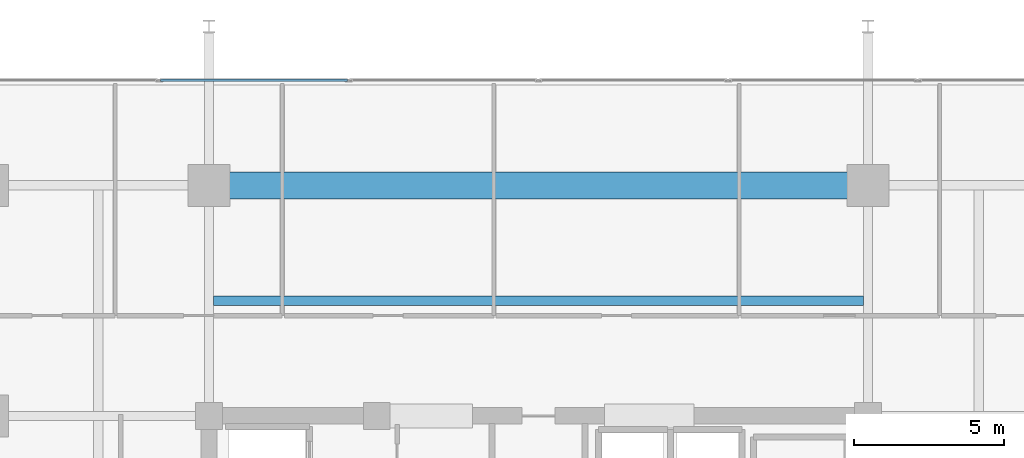
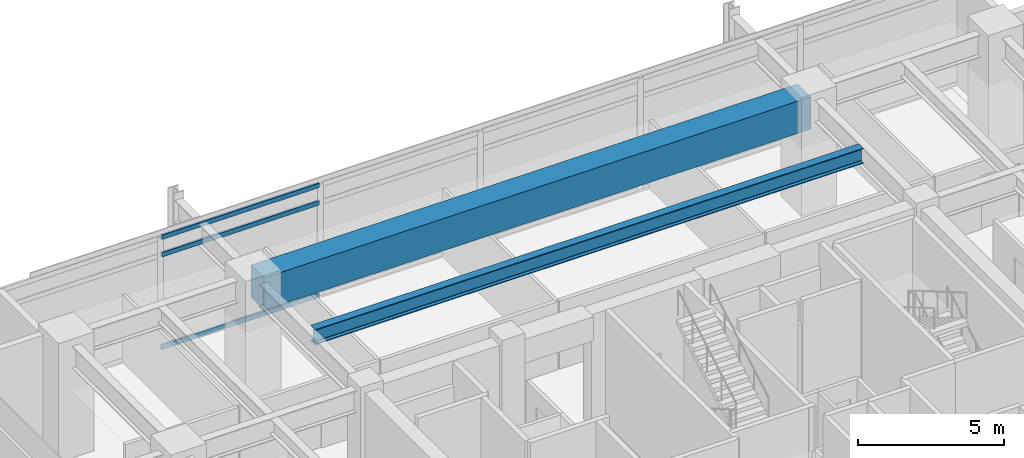
# One storey, part 8 of 19: 3 members, 2 beams, 1 element without a shape of its own.
"""IFC4 building model written with IfcOpenShell, lengths in metres."""

from ifc_helpers import new_model, si_unit, direction, frame, origin, origin_2d, place, context, subcontext, project, spatial, rectangle, hollow_rectangle, i_section, extrude, material, material_profile, profile_set, type_object, element, aggregate, save


model = new_model("IFC4")

# Units and contexts
model_context = context("Model", 3, precision=1e-05, world=origin(), true_north=direction((0.0, 1.0)))
body_context = subcontext(model_context, "Body", "Model", "MODEL_VIEW")
ifc_project = project(units=[si_unit("LENGTHUNIT", "METRE"), si_unit("AREAUNIT", "SQUARE_METRE"), si_unit("VOLUMEUNIT", "CUBIC_METRE"), si_unit("PLANEANGLEUNIT", "RADIAN"), si_unit("MASSUNIT", "GRAM", prefix="KILO")], contexts=[model_context])

# Site, building, storey
site_placement = place(None, origin())
site = spatial("IfcSite", under=ifc_project, at=site_placement, CompositionType="ELEMENT")
building_placement = place(site_placement, origin())
building = spatial("IfcBuilding", under=site, at=building_placement, Name="Kovane Verandah Tower", CompositionType="ELEMENT")
storey_placement = place(building_placement, frame((0.0, 0.0, 184.39990234375)))
storey = spatial("IfcBuildingStorey", under=building, at=storey_placement, Name="L43", CompositionType="ELEMENT", Elevation=184.39990234375)

# Beams
ifc_material_1 = material(Name="Concrete C80/95", Category="concrete")
ifc_material_profile_1 = material_profile(ifc_material_1, rectangle(XDim=0.89990234375, YDim=1.35009765625, at=origin_2d()), Name="RCB900x1350")
ifc_profile_set_1 = profile_set([ifc_material_profile_1], Name="Concrete C80/95")
beam_type_1 = type_object("IfcBeamType", Name="BM-TR-900x1350", PredefinedType="BEAM", material=ifc_profile_set_1)
beam_1_placement = place(storey_placement, frame((29.179931640625, 44.199951171875, 4.025146484375), z_axis=(1.0, 0.0, 0.0), x_axis=(0.0, 1.0, 0.0)))
element("IfcBeam", 1, at=beam_1_placement, inside=storey, type_object=beam_type_1, Name="L43 Primary Tower Girder G-RN2", PredefinedType="BEAM", context=body_context, shape_type="SweptSolid", body=[
    extrude(rectangle(XDim=0.89990234375, YDim=1.35009765625, at=origin_2d()), origin(), (0.0, 0.0, 1.0), 21.64013671875),
])
ifc_material_2 = material(Name="Steel S460", Category="steel")
ifc_material_profile_2 = material_profile(ifc_material_2, i_section(OverallWidth=0.311279296875, OverallDepth=0.6357421875, WebThickness=0.018310546875, FlangeThickness=0.031494140625, FilletRadius=0.0166015625, at=origin_2d()), Name="UB610x305x238")
ifc_profile_set_2 = profile_set([ifc_material_profile_2], Name="Steel S460")
beam_type_2 = type_object("IfcBeamType", Name="BM-UB610x238", PredefinedType="BEAM", material=ifc_profile_set_2)
beam_2_placement = place(storey_placement, frame((29.15185546875, 40.35009765625, 4.382080078125), z_axis=(1.0, 0.0, 0.0), x_axis=(0.0, 1.0, 0.0)))
element("IfcBeam", 2, at=beam_2_placement, inside=storey, type_object=beam_type_2, Name="L43 Secondary Composite Joist J-N1", PredefinedType="BEAM", context=body_context, shape_type="SweptSolid", body=[
    extrude(i_section(OverallWidth=0.311279296875, OverallDepth=0.6357421875, WebThickness=0.018310546875, FlangeThickness=0.031494140625, FilletRadius=0.0166015625, at=origin_2d()), origin(), (0.0, 0.0, 1.0), 21.6962890625),
])

# Curtain wall, members
ifc_material_3 = material(Name="Champagne Anodised Aluminium Frame with Low-E Clear Laminated Glass", Category="aluminium")
curtain_wall_type = type_object("IfcCurtainWallType", Name="CW-SYS-04-WAIST", PredefinedType="NOTDEFINED", material=ifc_material_3)
curtain_wall_placement = place(storey_placement, origin())
curtain_wall = element("IfcCurtainWall", 3, at=curtain_wall_placement, inside=storey, type_object=curtain_wall_type, Name="L43 N Unitised Curtain Wall", PredefinedType="NOTDEFINED")
ifc_material_4 = material(Name="Champagne Anodised Aluminium 6063-T6", Category="aluminium")
ifc_material_profile_3 = material_profile(ifc_material_4, hollow_rectangle(XDim=0.0849609375, YDim=0.18994140625, WallThickness=0.00390625, at=origin_2d()), Name="AL85x190x4")
ifc_profile_set_3 = profile_set([ifc_material_profile_3], Name="Champagne Anodised Aluminium 6063-T6")
member_type = type_object("IfcMemberType", Name="CW-TRN-85x190", PredefinedType="USERDEFINED", material=ifc_profile_set_3)
member_1_placement = place(storey_placement, frame((33.61669921875, 47.699951171875, 0.050048828125), z_axis=(-1.0, 0.0, 0.0), x_axis=(0.0, -1.0, 0.0)))
member_1 = element("IfcMember", 4, at=member_1_placement, type_object=member_type, Name="L43 N Unitised Curtain Wall Transom TB Bay 5", ObjectType="TRANSOM", PredefinedType="USERDEFINED", context=body_context, shape_type="SweptSolid", body=[
    extrude(hollow_rectangle(XDim=0.0849609375, YDim=0.18994140625, WallThickness=0.00390625, at=origin_2d()), origin(), (0.0, 0.0, 1.0), 6.2333984375),
])
member_2_placement = place(storey_placement, frame((33.61669921875, 47.699951171875, 3.920166015625), z_axis=(-1.0, 0.0, 0.0), x_axis=(0.0, -1.0, 0.0)))
member_2 = element("IfcMember", 5, at=member_2_placement, type_object=member_type, Name="L43 N Unitised Curtain Wall Transom TM Bay 5", ObjectType="TRANSOM", PredefinedType="USERDEFINED", context=body_context, shape_type="SweptSolid", body=[
    extrude(hollow_rectangle(XDim=0.0849609375, YDim=0.18994140625, WallThickness=0.00390625, at=origin_2d()), origin(), (0.0, 0.0, 1.0), 6.2333984375),
])
member_3_placement = place(storey_placement, frame((33.61669921875, 47.699951171875, 4.650146484375), z_axis=(-1.0, 0.0, 0.0), x_axis=(0.0, -1.0, 0.0)))
member_3 = element("IfcMember", 6, at=member_3_placement, type_object=member_type, Name="L43 N Unitised Curtain Wall Transom TT Bay 5", ObjectType="TRANSOM", PredefinedType="USERDEFINED", context=body_context, shape_type="SweptSolid", body=[
    extrude(hollow_rectangle(XDim=0.0849609375, YDim=0.18994140625, WallThickness=0.00390625, at=origin_2d()), origin(), (0.0, 0.0, 1.0), 6.2333984375),
])
aggregate(curtain_wall, [member_1, member_2, member_3])

save(model, "model.ifc")
